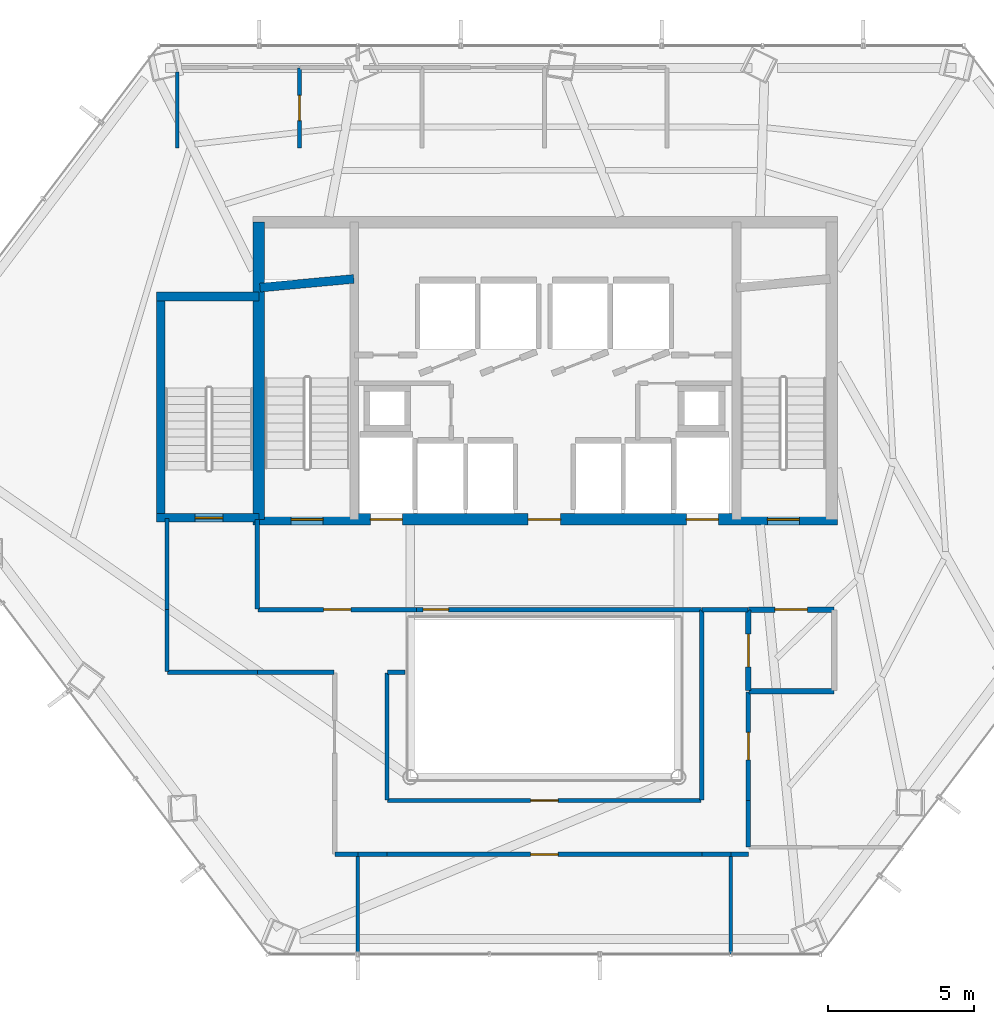
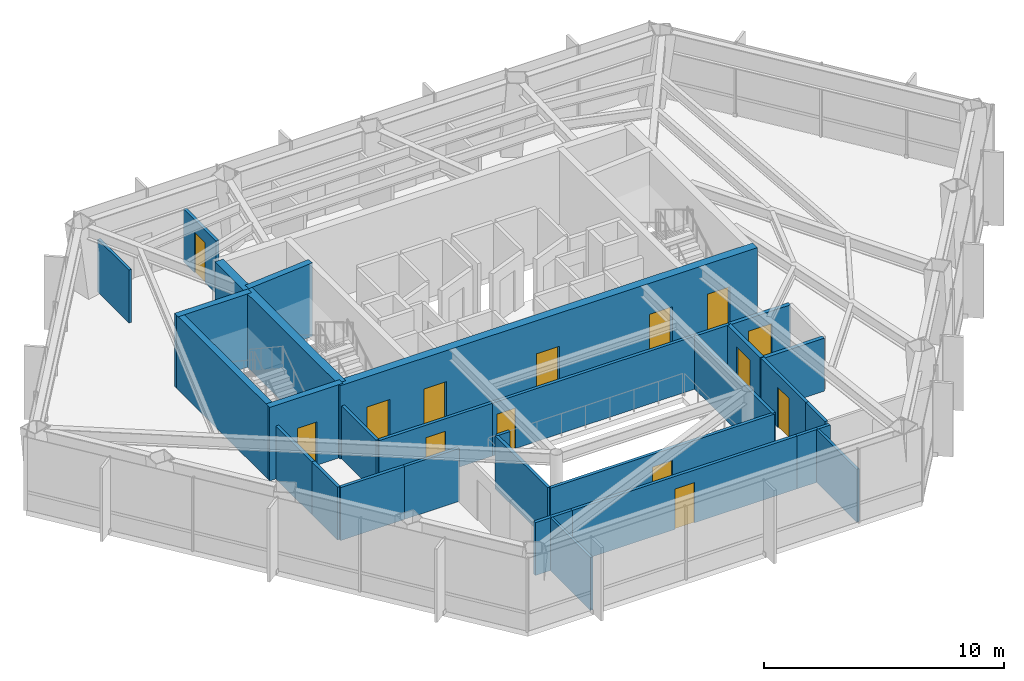
# One storey, part 22 of 25: 32 walls, 14 doors, 14 openings.
"""IFC4 building model written with IfcOpenShell, lengths in metres."""

import ifcopenshell
import ifcopenshell.guid

model = None  # the IFC model being written
_history = None  # IfcOwnerHistory: only IFC2X3 demands one
_inside = {}  # id of a spatial element -> (the spatial element, [elements in it])
_under = {}  # id of a project, library or spatial element -> (it, [spatial elements below it])
_declared = {}  # id of a project -> (the project, [libraries it declares])
_typed = {}  # id of a type object -> (the type object, [elements of that type])
_made_of = {}  # id of a material, layer set ... -> (it, [elements and type objects made of it])


def new_model(schema):
    """Start an empty IFC model of exactly this schema.

    Asked for "IFC4X3", IfcOpenShell would pick the latest addendum, in which some entities
    have other attributes; the version numbers below select the first issue.
    IFC2X3 requires an IfcOwnerHistory on every rooted entity: one is made here for all.
    """
    global model, _history
    if schema == "IFC4X3":
        model = ifcopenshell.file(schema_version=(4, 3, 0, 0))
    else:
        model = ifcopenshell.file(schema=schema)
    _inside.clear()
    _under.clear()
    _declared.clear()
    _typed.clear()
    _made_of.clear()
    _history = None
    if model.schema == "IFC2X3":
        org = make("IfcOrganization", Name="unknown")
        user = make(
            "IfcPersonAndOrganization",
            ThePerson=make("IfcPerson", FamilyName="unknown"),
            TheOrganization=org,
        )
        app = make(
            "IfcApplication",
            ApplicationDeveloper=org,
            Version="unknown",
            ApplicationFullName="unknown",
            ApplicationIdentifier="unknown",
        )
        _history = make(
            "IfcOwnerHistory",
            OwningUser=user,
            OwningApplication=app,
            ChangeAction="ADDED",
            CreationDate=0,
        )
    return model


def make(cls, **values):
    """One entity of the class cls with the attributes given. An attribute that is None is left unset."""
    return model.create_entity(
        cls, **{name: value for name, value in values.items() if value is not None}
    )


def rooted(cls, **values):
    """An entity with a GlobalId (a new one), such as an element, a storey or a relation."""
    return make(cls, GlobalId=ifcopenshell.guid.new(), OwnerHistory=_history, **values)


def si_unit(unit_type, name, prefix=None):
    """IfcSIUnit, for example si_unit("LENGTHUNIT", "METRE", prefix="MILLI")."""
    return make("IfcSIUnit", UnitType=unit_type, Prefix=prefix, Name=name)


def assignment(units):
    """IfcUnitAssignment: the units of a project."""
    return None if units is None else make("IfcUnitAssignment", Units=units)


def point(xyz):
    """IfcCartesianPoint."""
    return None if xyz is None else make("IfcCartesianPoint", Coordinates=xyz)


def direction(xyz):
    """IfcDirection."""
    return None if xyz is None else make("IfcDirection", DirectionRatios=xyz)


def frame(location, z_axis=None, x_axis=None):
    """IfcAxis2Placement3D, a coordinate frame: its origin and axes. An axis left out is left unset."""
    return make(
        "IfcAxis2Placement3D",
        Location=point(location),
        Axis=direction(z_axis),
        RefDirection=direction(x_axis),
    )


def frame_2d(location, x_axis=None):
    """IfcAxis2Placement2D, a coordinate frame in the plane: its origin and x axis."""
    return make(
        "IfcAxis2Placement2D", Location=point(location), RefDirection=direction(x_axis)
    )


def origin():
    """The frame at (0, 0, 0) with its axes left unset."""
    return frame((0.0, 0.0, 0.0))


def place(relative_to, where):
    """IfcLocalPlacement: puts the frame where relative to a parent placement (None: the world)."""
    return make(
        "IfcLocalPlacement", PlacementRelTo=relative_to, RelativePlacement=where
    )


def context(
    kind, dimensions, precision=None, world=None, true_north=None, identifier=None
):
    """IfcGeometricRepresentationContext, for example the 3D "Model" context."""
    return make(
        "IfcGeometricRepresentationContext",
        ContextIdentifier=identifier,
        ContextType=kind,
        CoordinateSpaceDimension=dimensions,
        Precision=precision,
        WorldCoordinateSystem=world,
        TrueNorth=true_north,
    )


def subcontext(parent, identifier, kind, view, scale=None):
    """IfcGeometricRepresentationSubContext, for example "Body" below "Model"."""
    return make(
        "IfcGeometricRepresentationSubContext",
        ContextIdentifier=identifier,
        ContextType=kind,
        ParentContext=parent,
        TargetScale=scale,
        TargetView=view,
    )


def project(units=None, contexts=None):
    """IfcProject with its units and contexts."""
    return rooted(
        "IfcProject",
        Name="project",
        RepresentationContexts=contexts,
        UnitsInContext=assignment(units),
    )


def spatial(cls, under=None, at=None, **own):
    """A site, building, storey or space (cls), placed at a placement, below another one or the project."""
    s = rooted(cls, ObjectPlacement=at, **own)
    if under is not None:
        _under.setdefault(under.id(), (under, []))[1].append(s)
    return s


def profile(cls, at=None, kind="AREA", **sizes):
    """A parametric profile (cls). Its sizes go by their IFC names, for example OverallWidth=200.0."""
    return make(cls, ProfileType=kind, Position=at, **sizes)


def rectangle(**sizes):
    """IfcRectangleProfileDef."""
    return profile("IfcRectangleProfileDef", **sizes)


def extrude(swept, where, along, depth):
    """IfcExtrudedAreaSolid: the profile swept, set in the frame where, extruded along a direction by depth."""
    return make(
        "IfcExtrudedAreaSolid",
        SweptArea=swept,
        Position=where,
        ExtrudedDirection=direction(along),
        Depth=depth,
    )


def shape(context_of_items, identifier, shape_type, items):
    """IfcShapeRepresentation: the items that make up one representation, for example the "Body"."""
    return make(
        "IfcShapeRepresentation",
        ContextOfItems=context_of_items,
        RepresentationIdentifier=identifier,
        RepresentationType=shape_type,
        Items=items,
    )


def material(Name=None, Category=None):
    """IfcMaterial."""
    return make("IfcMaterial", Name=Name, Category=Category)


def layer(
    of_material, thickness, ventilated=None, Name=None, Category=None, Priority=None
):
    """IfcMaterialLayer: one layer of a wall or slab, of a material (None: an air gap)."""
    return make(
        "IfcMaterialLayer",
        Material=of_material,
        LayerThickness=thickness,
        IsVentilated=ventilated,
        Name=Name,
        Category=Category,
        Priority=Priority,
    )


def layer_set(layers, Name=None):
    """IfcMaterialLayerSet."""
    return make("IfcMaterialLayerSet", MaterialLayers=layers, LayerSetName=Name)


def made_of(thing, what):
    """Note that an element or type object is made of a material, layer set ...; save() writes the relation."""
    if what is not None:
        _made_of.setdefault(what.id(), (what, []))[1].append(thing)
    return thing


def type_object(cls, material=None, **own):
    """A type object (cls), such as IfcWallType, which elements share."""
    return made_of(rooted(cls, **own), material)


def element(
    cls,
    number,
    at=None,
    inside=None,
    cuts=None,
    type_object=None,
    material=None,
    context=None,
    identifier="Body",
    shape_type=None,
    held_by="IfcProductDefinitionShape",
    body=None,
    shapes=None,
    **own,
):
    """One element of the class cls, such as IfcWall. Its Tag is "e" and its number.

    at: its placement. inside: the storey or other place that contains it. cuts: it is an
    opening in that element (IfcRelVoidsElement). A single representation is given by context,
    identifier, shape_type and body (its items); several are given by shapes. held_by: the class
    of the entity that holds the representations. save() writes the other relations.
    """
    e = rooted(cls, Tag="e%d" % number, ObjectPlacement=at, **own)
    if body is not None:
        shapes = [shape(context, identifier, shape_type, body)]
    if shapes is not None:
        e.Representation = make(held_by, Representations=shapes)
    if inside is not None:
        _inside.setdefault(inside.id(), (inside, []))[1].append(e)
    if cuts is not None:
        rooted(
            "IfcRelVoidsElement", RelatingBuildingElement=cuts, RelatedOpeningElement=e
        )
    if type_object is not None:
        _typed.setdefault(type_object.id(), (type_object, []))[1].append(e)
    return made_of(e, material)


def fill(opening, filler):
    """IfcRelFillsElement: the door or window that sits in an opening."""
    return rooted(
        "IfcRelFillsElement",
        RelatingOpeningElement=opening,
        RelatedBuildingElement=filler,
    )


def aggregate(whole, parts):
    """IfcRelAggregates: a whole, such as a stair, and the parts it consists of."""
    return rooted("IfcRelAggregates", RelatingObject=whole, RelatedObjects=parts)


def save(model, path):
    """Write the relations noted so far, then the file.

    IfcRelAggregates (storeys below a building ...), IfcRelContainedInSpatialStructure (elements
    in a storey), IfcRelDefinesByType, IfcRelAssociatesMaterial and IfcRelDeclares: one each for
    every whole, place, type object, material and project.
    """
    for whole, parts in _under.values():
        aggregate(whole, parts)
    for where, things in _inside.values():
        rooted(
            "IfcRelContainedInSpatialStructure",
            RelatedElements=things,
            RelatingStructure=where,
        )
    for kind, things in _typed.values():
        rooted("IfcRelDefinesByType", RelatedObjects=things, RelatingType=kind)
    for what, things in _made_of.values():
        rooted("IfcRelAssociatesMaterial", RelatedObjects=things, RelatingMaterial=what)
    for by, libraries in _declared.values():
        rooted("IfcRelDeclares", RelatingContext=by, RelatedDefinitions=libraries)
    model.write(path)


model = new_model("IFC4")

# Units and contexts
model_context = context("Model", 3, precision=1e-05, world=origin(), true_north=direction((0.0, 1.0)))
body_context = subcontext(model_context, "Body", "Model", "MODEL_VIEW")
ifc_project = project(units=[si_unit("LENGTHUNIT", "METRE"), si_unit("AREAUNIT", "SQUARE_METRE"), si_unit("VOLUMEUNIT", "CUBIC_METRE"), si_unit("PLANEANGLEUNIT", "RADIAN"), si_unit("MASSUNIT", "GRAM", prefix="KILO")], contexts=[model_context])

# Site, building, storey
site_placement = place(None, origin())
site = spatial("IfcSite", under=ifc_project, at=site_placement, CompositionType="ELEMENT")
building_placement = place(site_placement, origin())
building = spatial("IfcBuilding", under=site, at=building_placement, Name="Zarrinselat Tower", CompositionType="ELEMENT")
storey_placement = place(building_placement, frame((0.0, 0.0, 105.06005859375)))
storey = spatial("IfcBuildingStorey", under=building, at=storey_placement, Name="L25", CompositionType="ELEMENT", Elevation=105.06005859375)

# Wall, opening, door
ifc_material_1 = material(Name="Concrete C40/50", Category="concrete")
ifc_layer_1 = layer(ifc_material_1, 0.18994140625)
ifc_layer_set_1 = layer_set([ifc_layer_1], Name="Concrete C40/50")
wall_type_1 = type_object("IfcWallType", Name="WAL-PART-EI120", PredefinedType="PARTITIONING", material=ifc_layer_set_1)
wall_1_placement = place(storey_placement, frame((45.405029296875, 30.14990234375, 0.0), z_axis=(0.0, 0.0, 1.0), x_axis=(1.0, 0.0, 0.0)))
wall_1 = element("IfcWall", 1, at=wall_1_placement, inside=storey, type_object=wall_type_1, Name="L25 Partition Wall 7", PredefinedType="PARTITIONING", context=body_context, shape_type="SweptSolid", body=[
    extrude(rectangle(XDim=2.925048828125, YDim=0.18994140625, at=frame_2d((1.46240234375, 0.0))), origin(), (0.0, 0.0, 1.0), 2.68701171875),
])
opening_1_placement = place(wall_1_placement, frame((0.902587890625, 0.0, 0.0)))
opening_1 = element("IfcOpeningElement", 2, at=opening_1_placement, cuts=wall_1, Name="Opening ID-02", PredefinedType="OPENING", context=body_context, shape_type="SweptSolid", body=[
    extrude(rectangle(XDim=1.1201171875, YDim=2.050048828125, at=frame_2d((0.56005859375, 1.02490234375))), frame((0.0, 0.10498046875, 0.0), z_axis=(0.0, -1.0, 0.0), x_axis=(1.0, 0.0, 0.0)), (0.0, 0.0, 1.0), 0.2099609375),
])
ifc_material_2 = material(Name="Steel S355J2", Category="steel")
door_type_1 = type_object("IfcDoorType", Name="DR-INT-FD60-W", OperationType="NOTDEFINED", PredefinedType="DOOR", material=ifc_material_2)
door_1_placement = place(opening_1_placement, origin())
door_1 = element("IfcDoor", 3, at=door_1_placement, inside=storey, type_object=door_type_1, Name="L25 Interior Door P7", OperationType="SINGLE_SWING_RIGHT", OverallHeight=2.050048828125, OverallWidth=1.1201171875, PredefinedType="DOOR", context=body_context, shape_type="SweptSolid", body=[
    extrude(rectangle(XDim=1.1201171875, YDim=2.050048828125, at=frame_2d((0.56005859375, 1.02490234375))), frame((0.0, 0.02490234375, 0.0), z_axis=(0.0, -1.0, 0.0), x_axis=(1.0, 0.0, 0.0)), (0.0, 0.0, 1.0), 0.050048828125),
])
fill(opening_1, door_1)

wall_2_placement = place(storey_placement, frame((45.39990234375, 27.3701171875, 0.0), z_axis=(0.0, 0.0, 1.0), x_axis=(0.0, 1.0, 0.0)))
wall_2 = element("IfcWall", 4, at=wall_2_placement, inside=storey, type_object=wall_type_1, Name="L25 Partition Wall 12", PredefinedType="PARTITIONING", context=body_context, shape_type="SweptSolid", body=[
    extrude(rectangle(XDim=2.759765625, YDim=0.18994140625, at=frame_2d((1.3798828125, 0.0))), origin(), (0.0, 0.0, 1.0), 2.68701171875),
])
opening_2_placement = place(wall_2_placement, frame((0.820068359375, 0.0, 0.0)))
opening_2 = element("IfcOpeningElement", 5, at=opening_2_placement, cuts=wall_2, Name="Opening ID-02", PredefinedType="OPENING", context=body_context, shape_type="SweptSolid", body=[
    extrude(rectangle(XDim=1.1201171875, YDim=2.050048828125, at=frame_2d((0.56005859375, 1.02490234375))), frame((0.0, 0.10498046875, 0.0), z_axis=(0.0, -1.0, 0.0), x_axis=(1.0, 0.0, 0.0)), (0.0, 0.0, 1.0), 0.2099609375),
])
door_2_placement = place(opening_2_placement, origin())
door_2 = element("IfcDoor", 6, at=door_2_placement, inside=storey, type_object=door_type_1, Name="L25 Interior Door P12", OperationType="SINGLE_SWING_LEFT", OverallHeight=2.050048828125, OverallWidth=1.1201171875, PredefinedType="DOOR", context=body_context, shape_type="SweptSolid", body=[
    extrude(rectangle(XDim=1.1201171875, YDim=2.050048828125, at=frame_2d((0.56005859375, 1.02490234375))), frame((0.0, 0.02490234375, 0.0), z_axis=(0.0, -1.0, 0.0), x_axis=(1.0, 0.0, 0.0)), (0.0, 0.0, 1.0), 0.050048828125),
])
fill(opening_2, door_2)

# Walls
wall_3_placement = place(storey_placement, frame((45.419921875, 27.35009765625, 0.0), z_axis=(0.0, 0.0, 1.0), x_axis=(1.0, 0.0, 0.0)))
element("IfcWall", 7, at=wall_3_placement, inside=storey, type_object=wall_type_1, Name="L25 Partition Wall 13", PredefinedType="PARTITIONING", context=body_context, shape_type="SweptSolid", body=[
    extrude(rectangle(XDim=2.91015625, YDim=0.18994140625, at=frame_2d((1.455078125, 0.0))), origin(), (0.0, 0.0, 1.0), 2.68701171875),
])
ifc_material_3 = material(Name="Fire-Rated Gypsum Board Partition", Category="gypsum")
ifc_layer_2 = layer(ifc_material_3, 0.14990234375)
ifc_layer_set_2 = layer_set([ifc_layer_2], Name="Fire-Rated Gypsum Board Partition")
wall_type_2 = type_object("IfcWallType", Name="WAL-PART-EI60", PredefinedType="PARTITIONING", material=ifc_layer_set_2)
wall_4_placement = place(storey_placement, frame((43.804931640625, 30.14990234375, 0.0), z_axis=(0.0, 0.0, 1.0), x_axis=(1.0, 0.0, 0.0)))
element("IfcWall", 8, at=wall_4_placement, inside=storey, type_object=wall_type_2, Name="L25 Partition Wall 8", PredefinedType="PARTITIONING", context=body_context, shape_type="SweptSolid", body=[
    extrude(rectangle(XDim=1.590087890625, YDim=0.14990234375, at=frame_2d((0.794921875, 0.0))), origin(), (0.0, 0.0, 1.0), 2.68701171875),
])

# Wall, opening, door
wall_5_placement = place(storey_placement, frame((28.570068359375, 30.14990234375, 0.0), z_axis=(0.0, 0.0, 1.0), x_axis=(1.0, 0.0, 0.0)))
wall_5 = element("IfcWall", 9, at=wall_5_placement, inside=storey, type_object=wall_type_2, Name="L25 Partition Wall 9", PredefinedType="PARTITIONING", context=body_context, shape_type="SweptSolid", body=[
    extrude(rectangle(XDim=5.44482421875, YDim=0.14990234375, at=frame_2d((2.722412109375, 0.0))), origin(), (0.0, 0.0, 1.0), 2.68701171875),
])
opening_3_placement = place(wall_5_placement, frame((2.25244140625, 0.0, 0.0)))
opening_3 = element("IfcOpeningElement", 10, at=opening_3_placement, cuts=wall_5, Name="Opening ID-04", PredefinedType="OPENING", context=body_context, shape_type="SweptSolid", body=[
    extrude(rectangle(XDim=0.93994140625, YDim=2.050048828125, at=frame_2d((0.469970703125, 1.02490234375))), frame((0.0, 0.0849609375, 0.0), z_axis=(0.0, -1.0, 0.0), x_axis=(1.0, 0.0, 0.0)), (0.0, 0.0, 1.0), 0.169921875),
])
ifc_material_4 = material(Name="Fire-Rated Gypsum Board Partition")
door_type_2 = type_object("IfcDoorType", Name="DR-INT-FD30-ENT", OperationType="NOTDEFINED", PredefinedType="DOOR", material=ifc_material_4)
door_3_placement = place(opening_3_placement, origin())
door_3 = element("IfcDoor", 11, at=door_3_placement, inside=storey, type_object=door_type_2, Name="L25 Interior Door P9", OperationType="SINGLE_SWING_LEFT", OverallHeight=2.050048828125, OverallWidth=0.93994140625, PredefinedType="DOOR", context=body_context, shape_type="SweptSolid", body=[
    extrude(rectangle(XDim=0.93994140625, YDim=2.050048828125, at=frame_2d((0.469970703125, 1.02490234375))), frame((0.0, 0.02490234375, 0.0), z_axis=(0.0, -1.0, 0.0), x_axis=(1.0, 0.0, 0.0)), (0.0, 0.0, 1.0), 0.050048828125),
])
fill(opening_3, door_3)

# Wall
wall_6_placement = place(storey_placement, frame((28.550048828125, 30.169921875, 0.0), z_axis=(0.0, 0.0, 1.0), x_axis=(0.0, 1.0, 0.0)))
element("IfcWall", 12, at=wall_6_placement, inside=storey, type_object=wall_type_2, Name="L25 Partition Wall 10", PredefinedType="PARTITIONING", context=body_context, shape_type="SweptSolid", body=[
    extrude(rectangle(XDim=3.065185546875, YDim=0.14990234375, at=frame_2d((1.53271484375, 0.0))), origin(), (0.0, 0.0, 1.0), 2.68701171875),
])

# Wall, opening, door
wall_7_placement = place(storey_placement, frame((33.985107421875, 30.14990234375, 0.0), z_axis=(0.0, 0.0, 1.0), x_axis=(1.0, 0.0, 0.0)))
wall_7 = element("IfcWall", 13, at=wall_7_placement, inside=storey, type_object=wall_type_2, Name="L25 Partition Wall 11", PredefinedType="PARTITIONING", context=body_context, shape_type="SweptSolid", body=[
    extrude(rectangle(XDim=9.809814453125, YDim=0.14990234375, at=frame_2d((4.90478515625, 0.0))), origin(), (0.0, 0.0, 1.0), 2.68701171875),
])
opening_4_placement = place(wall_7_placement, frame((0.25, 0.0, 0.0)))
opening_4 = element("IfcOpeningElement", 14, at=opening_4_placement, cuts=wall_7, Name="Opening ID-03", PredefinedType="OPENING", context=body_context, shape_type="SweptSolid", body=[
    extrude(rectangle(XDim=0.8798828125, YDim=2.050048828125, at=frame_2d((0.43994140625, 1.02490234375))), frame((0.0, 0.0849609375, 0.0), z_axis=(0.0, -1.0, 0.0), x_axis=(1.0, 0.0, 0.0)), (0.0, 0.0, 1.0), 0.169921875),
])
ifc_material_5 = material(Name="Steel S355J2", Category="steel")
door_type_3 = type_object("IfcDoorType", Name="DR-INT-FD60-S", OperationType="NOTDEFINED", PredefinedType="DOOR", material=ifc_material_5)
door_4_placement = place(opening_4_placement, origin())
door_4 = element("IfcDoor", 15, at=door_4_placement, inside=storey, type_object=door_type_3, Name="L25 Interior Door P11", OperationType="SINGLE_SWING_RIGHT", OverallHeight=2.050048828125, OverallWidth=0.8798828125, PredefinedType="DOOR", context=body_context, shape_type="SweptSolid", body=[
    extrude(rectangle(XDim=0.8798828125, YDim=2.050048828125, at=frame_2d((0.43994140625, 1.02490234375))), frame((0.0, 0.02490234375, 0.0), z_axis=(0.0, -1.0, 0.0), x_axis=(1.0, 0.0, 0.0)), (0.0, 0.0, 1.0), 0.050048828125),
])
fill(opening_4, door_4)

# Wall
wall_8_placement = place(storey_placement, frame((43.800048828125, 21.75, 0.0), z_axis=(0.0, 0.0, 1.0), x_axis=(1.0, 0.0, 0.0)))
element("IfcWall", 16, at=wall_8_placement, inside=storey, type_object=wall_type_2, Name="L25 Partition Wall 15", PredefinedType="PARTITIONING", context=body_context, shape_type="SweptSolid", body=[
    extrude(rectangle(XDim=0.994873046875, YDim=0.14990234375, at=frame_2d((0.49755859375, 0.0))), origin(), (0.0, 0.0, 1.0), 2.68701171875),
])

# Wall, opening, door
wall_9_placement = place(storey_placement, frame((33.0, 21.75, 0.0), z_axis=(0.0, 0.0, 1.0), x_axis=(1.0, 0.0, 0.0)))
wall_9 = element("IfcWall", 17, at=wall_9_placement, inside=storey, type_object=wall_type_2, Name="L25 Partition Wall 16", PredefinedType="PARTITIONING", context=body_context, shape_type="SweptSolid", body=[
    extrude(rectangle(XDim=10.800048828125, YDim=0.14990234375, at=frame_2d((5.39990234375, 0.0))), origin(), (0.0, 0.0, 1.0), 2.68701171875),
])
opening_5_placement = place(wall_9_placement, frame((4.929931640625, 0.0, 0.0)))
opening_5 = element("IfcOpeningElement", 18, at=opening_5_placement, cuts=wall_9, Name="Opening ID-04", PredefinedType="OPENING", context=body_context, shape_type="SweptSolid", body=[
    extrude(rectangle(XDim=0.93994140625, YDim=2.050048828125, at=frame_2d((0.469970703125, 1.02490234375))), frame((0.0, 0.0849609375, 0.0), z_axis=(0.0, -1.0, 0.0), x_axis=(1.0, 0.0, 0.0)), (0.0, 0.0, 1.0), 0.169921875),
])
door_5_placement = place(opening_5_placement, origin())
door_5 = element("IfcDoor", 19, at=door_5_placement, inside=storey, type_object=door_type_2, Name="L25 Interior Door P16", OperationType="SINGLE_SWING_RIGHT", OverallHeight=2.050048828125, OverallWidth=0.93994140625, PredefinedType="DOOR", context=body_context, shape_type="SweptSolid", body=[
    extrude(rectangle(XDim=0.93994140625, YDim=2.050048828125, at=frame_2d((0.469970703125, 1.02490234375))), frame((0.0, 0.02490234375, 0.0), z_axis=(0.0, -1.0, 0.0), x_axis=(1.0, 0.0, 0.0)), (0.0, 0.0, 1.0), 0.050048828125),
])
fill(opening_5, door_5)

# Walls
wall_10_placement = place(storey_placement, frame((32.0048828125, 21.75, 0.0), z_axis=(0.0, 0.0, 1.0), x_axis=(1.0, 0.0, 0.0)))
element("IfcWall", 20, at=wall_10_placement, inside=storey, type_object=wall_type_2, Name="L25 Partition Wall 17", PredefinedType="PARTITIONING", context=body_context, shape_type="SweptSolid", body=[
    extrude(rectangle(XDim=0.9951171875, YDim=0.14990234375, at=frame_2d((0.49755859375, 0.0))), origin(), (0.0, 0.0, 1.0), 2.68701171875),
])
wall_11_placement = place(storey_placement, frame((44.804931640625, 21.75, 0.0), z_axis=(0.0, 0.0, 1.0), x_axis=(1.0, 0.0, 0.0)))
element("IfcWall", 21, at=wall_11_placement, inside=storey, type_object=wall_type_2, Name="L25 Partition Wall 18", PredefinedType="PARTITIONING", context=body_context, shape_type="SweptSolid", body=[
    extrude(rectangle(XDim=0.594970703125, YDim=0.14990234375, at=frame_2d((0.29736328125, 0.0))), origin(), (0.0, 0.0, 1.0), 2.68701171875),
])
wall_12_placement = place(storey_placement, frame((31.219970703125, 21.75, 0.0), z_axis=(0.0, 0.0, 1.0), x_axis=(1.0, 0.0, 0.0)))
element("IfcWall", 22, at=wall_12_placement, inside=storey, type_object=wall_type_2, Name="L25 Partition Wall 19", PredefinedType="PARTITIONING", context=body_context, shape_type="SweptSolid", body=[
    extrude(rectangle(XDim=0.775146484375, YDim=0.14990234375, at=frame_2d((0.3876953125, 0.0))), origin(), (0.0, 0.0, 1.0), 2.68701171875),
])
wall_13_placement = place(storey_placement, frame((28.550048828125, 28.0, 0.0), z_axis=(0.0, 0.0, 1.0), x_axis=(1.0, 0.0, 0.0)))
element("IfcWall", 23, at=wall_13_placement, inside=storey, type_object=wall_type_2, Name="L25 Partition Wall 22", PredefinedType="PARTITIONING", context=body_context, shape_type="SweptSolid", body=[
    extrude(rectangle(XDim=2.6298828125, YDim=0.14990234375, at=frame_2d((1.31494140625, 0.0))), origin(), (0.0, 0.0, 1.0), 2.68701171875),
])
wall_14_placement = place(storey_placement, frame((25.469970703125, 28.0, 0.0), z_axis=(0.0, 0.0, 1.0), x_axis=(1.0, 0.0, 0.0)))
element("IfcWall", 24, at=wall_14_placement, inside=storey, type_object=wall_type_2, Name="L25 Partition Wall 23", PredefinedType="PARTITIONING", context=body_context, shape_type="SweptSolid", body=[
    extrude(rectangle(XDim=3.080078125, YDim=0.14990234375, at=frame_2d((1.5400390625, 0.0))), origin(), (0.0, 0.0, 1.0), 2.68701171875),
])
wall_15_placement = place(storey_placement, frame((25.449951171875, 28.02001953125, 0.0), z_axis=(0.0, 0.0, 1.0), x_axis=(0.0, 1.0, 0.0)))
element("IfcWall", 25, at=wall_15_placement, inside=storey, type_object=wall_type_2, Name="L25 Partition Wall 24", PredefinedType="PARTITIONING", context=body_context, shape_type="SweptSolid", body=[
    extrude(rectangle(XDim=2.1298828125, YDim=0.14990234375, at=frame_2d((1.06494140625, 0.0))), origin(), (0.0, 0.0, 1.0), 2.68701171875),
])
wall_16_placement = place(storey_placement, frame((25.449951171875, 30.14990234375, 0.0), z_axis=(0.0, 0.0, 1.0), x_axis=(0.0, 1.0, 0.0)))
element("IfcWall", 26, at=wall_16_placement, inside=storey, type_object=wall_type_2, Name="L25 Partition Wall 25", PredefinedType="PARTITIONING", context=body_context, shape_type="SweptSolid", body=[
    extrude(rectangle(XDim=3.135009765625, YDim=0.14990234375, at=frame_2d((1.5673828125, 0.0))), origin(), (0.0, 0.0, 1.0), 2.68701171875),
])

# Wall, opening, door
wall_17_placement = place(storey_placement, frame((45.39990234375, 23.60009765625, 0.0), z_axis=(0.0, 0.0, 1.0), x_axis=(0.0, 1.0, 0.0)))
wall_17 = element("IfcWall", 27, at=wall_17_placement, inside=storey, type_object=wall_type_2, Name="L25 Partition Wall 26", PredefinedType="PARTITIONING", context=body_context, shape_type="SweptSolid", body=[
    extrude(rectangle(XDim=3.72998046875, YDim=0.14990234375, at=frame_2d((1.864990234375, 0.0))), origin(), (0.0, 0.0, 1.0), 2.68701171875),
])
opening_6_placement = place(wall_17_placement, frame((1.39501953125, 0.0, 0.0)))
opening_6 = element("IfcOpeningElement", 28, at=opening_6_placement, cuts=wall_17, Name="Opening ID-04", PredefinedType="OPENING", context=body_context, shape_type="SweptSolid", body=[
    extrude(rectangle(XDim=0.93994140625, YDim=2.050048828125, at=frame_2d((0.469970703125, 1.02490234375))), frame((0.0, 0.0849609375, 0.0), z_axis=(0.0, -1.0, 0.0), x_axis=(1.0, 0.0, 0.0)), (0.0, 0.0, 1.0), 0.169921875),
])
door_6_placement = place(opening_6_placement, origin())
door_6 = element("IfcDoor", 29, at=door_6_placement, inside=storey, type_object=door_type_2, Name="L25 Interior Door P26", OperationType="SINGLE_SWING_RIGHT", OverallHeight=2.050048828125, OverallWidth=0.93994140625, PredefinedType="DOOR", context=body_context, shape_type="SweptSolid", body=[
    extrude(rectangle(XDim=0.93994140625, YDim=2.050048828125, at=frame_2d((0.469970703125, 1.02490234375))), frame((0.0, 0.02490234375, 0.0), z_axis=(0.0, -1.0, 0.0), x_axis=(1.0, 0.0, 0.0)), (0.0, 0.0, 1.0), 0.050048828125),
])
fill(opening_6, door_6)

# Walls
wall_18_placement = place(storey_placement, frame((45.39990234375, 22.0048828125, 0.0), z_axis=(0.0, 0.0, 1.0), x_axis=(0.0, 1.0, 0.0)))
element("IfcWall", 30, at=wall_18_placement, inside=storey, type_object=wall_type_2, Name="L25 Partition Wall 27", PredefinedType="PARTITIONING", context=body_context, shape_type="SweptSolid", body=[
    extrude(rectangle(XDim=1.59521484375, YDim=0.14990234375, at=frame_2d((0.797607421875, 0.0))), origin(), (0.0, 0.0, 1.0), 2.68701171875),
])
wall_19_placement = place(storey_placement, frame((33.02001953125, 28.0, 0.0), z_axis=(0.0, 0.0, 1.0), x_axis=(1.0, 0.0, 0.0)))
element("IfcWall", 31, at=wall_19_placement, inside=storey, type_object=wall_type_2, Name="L25 Partition Wall 28", PredefinedType="PARTITIONING", context=body_context, shape_type="SweptSolid", body=[
    extrude(rectangle(XDim=0.60009765625, YDim=0.14990234375, at=frame_2d((0.300048828125, 0.0))), origin(), (0.0, 0.0, 1.0), 2.68701171875),
])
wall_20_placement = place(storey_placement, frame((33.0, 23.6201171875, 0.0), z_axis=(0.0, 0.0, 1.0), x_axis=(0.0, 1.0, 0.0)))
element("IfcWall", 32, at=wall_20_placement, inside=storey, type_object=wall_type_2, Name="L25 Partition Wall 29", PredefinedType="PARTITIONING", context=body_context, shape_type="SweptSolid", body=[
    extrude(rectangle(XDim=4.35986328125, YDim=0.14990234375, at=frame_2d((2.179931640625, 0.0))), origin(), (0.0, 0.0, 1.0), 2.68701171875),
])

# Wall, opening, door
wall_21_placement = place(storey_placement, frame((33.02001953125, 23.60009765625, 0.0), z_axis=(0.0, 0.0, 1.0), x_axis=(1.0, 0.0, 0.0)))
wall_21 = element("IfcWall", 33, at=wall_21_placement, inside=storey, type_object=wall_type_2, Name="L25 Partition Wall 30", PredefinedType="PARTITIONING", context=body_context, shape_type="SweptSolid", body=[
    extrude(rectangle(XDim=10.760009765625, YDim=0.14990234375, at=frame_2d((5.3798828125, 0.0))), origin(), (0.0, 0.0, 1.0), 2.68701171875),
])
opening_7_placement = place(wall_21_placement, frame((4.909912109375, 0.0, 0.0)))
opening_7 = element("IfcOpeningElement", 34, at=opening_7_placement, cuts=wall_21, Name="Opening ID-04", PredefinedType="OPENING", context=body_context, shape_type="SweptSolid", body=[
    extrude(rectangle(XDim=0.93994140625, YDim=2.050048828125, at=frame_2d((0.469970703125, 1.02490234375))), frame((0.0, 0.0849609375, 0.0), z_axis=(0.0, -1.0, 0.0), x_axis=(1.0, 0.0, 0.0)), (0.0, 0.0, 1.0), 0.169921875),
])
door_7_placement = place(opening_7_placement, origin())
door_7 = element("IfcDoor", 35, at=door_7_placement, inside=storey, type_object=door_type_2, Name="L25 Interior Door P30", OperationType="SINGLE_SWING_LEFT", OverallHeight=2.050048828125, OverallWidth=0.93994140625, PredefinedType="DOOR", context=body_context, shape_type="SweptSolid", body=[
    extrude(rectangle(XDim=0.93994140625, YDim=2.050048828125, at=frame_2d((0.469970703125, 1.02490234375))), frame((0.0, 0.02490234375, 0.0), z_axis=(0.0, -1.0, 0.0), x_axis=(1.0, 0.0, 0.0)), (0.0, 0.0, 1.0), 0.050048828125),
])
fill(opening_7, door_7)

# Walls
wall_22_placement = place(storey_placement, frame((43.800048828125, 23.6201171875, 0.0), z_axis=(0.0, 0.0, 1.0), x_axis=(0.0, 1.0, 0.0)))
element("IfcWall", 36, at=wall_22_placement, inside=storey, type_object=wall_type_2, Name="L25 Partition Wall 31", PredefinedType="PARTITIONING", context=body_context, shape_type="SweptSolid", body=[
    extrude(rectangle(XDim=6.509765625, YDim=0.14990234375, at=frame_2d((3.2548828125, 0.0))), origin(), (0.0, 0.0, 1.0), 2.68701171875),
])
ifc_material_6 = material(Name="Fire-Rated Gypsum Board Partition", Category="gypsum")
ifc_layer_3 = layer(ifc_material_6, 0.1201171875)
ifc_layer_set_3 = layer_set([ifc_layer_3], Name="Fire-Rated Gypsum Board Partition")
wall_type_3 = type_object("IfcWallType", Name="WAL-PART-STD", PredefinedType="PARTITIONING", material=ifc_layer_set_3)
for number, where, z_axis, x_axis, name in (
    (37, (44.800048828125, 18.340576171875, 0.0), (0.0, 0.0, 1.0), (0.0, 1.0, 0.0), "L25 Partition Wall 42"),
    (38, (32.0, 18.340576171875, 0.0), (0.0, 0.0, 1.0), (0.0, 1.0, 0.0), "L25 Partition Wall 43"),
):
    element("IfcWall", number, at=place(storey_placement, frame(where, z_axis=z_axis, x_axis=x_axis)), inside=storey, type_object=wall_type_3, Name=name, PredefinedType="PARTITIONING", context=body_context, shape_type="SweptSolid", body=[
        extrude(rectangle(XDim=3.389404296875, YDim=0.1201171875, at=frame_2d((1.69482421875, 0.0))), origin(), (0.0, 0.0, 1.0), 2.68701171875),
    ])

# Wall, opening, door
ifc_material_7 = material(Name="Fire-Rated Gypsum Board Partition", Category="gypsum")
ifc_layer_4 = layer(ifc_material_7, 0.135009765625)
ifc_layer_set_4 = layer_set([ifc_layer_4], Name="Fire-Rated Gypsum Board Partition")
wall_type_4 = type_object("IfcWallType", Name="WAL-PART-WET", PredefinedType="PARTITIONING", material=ifc_layer_set_4)
wall_23_placement = place(storey_placement, frame((30.0, 46.0, 0.0), z_axis=(0.0, 0.0, 1.0), x_axis=(0.0, 1.0, 0.0)))
wall_23 = element("IfcWall", 39, at=wall_23_placement, inside=storey, type_object=wall_type_4, Name="L25 Partition Wall 32", PredefinedType="PARTITIONING", context=body_context, shape_type="SweptSolid", body=[
    extrude(rectangle(XDim=2.72998046875, YDim=0.135009765625, at=frame_2d((1.364990234375, 0.0))), origin(), (0.0, 0.0, 1.0), 2.68701171875),
])
opening_8_placement = place(wall_23_placement, frame((0.93505859375, 0.0, 0.0)))
opening_8 = element("IfcOpeningElement", 40, at=opening_8_placement, cuts=wall_23, Name="Opening ID-06", PredefinedType="OPENING", context=body_context, shape_type="SweptSolid", body=[
    extrude(rectangle(XDim=0.860107421875, YDim=2.050048828125, at=frame_2d((0.43017578125, 1.02490234375))), frame((0.0, 0.077392578125, 0.0), z_axis=(0.0, -1.0, 0.0), x_axis=(1.0, 0.0, 0.0)), (0.0, 0.0, 1.0), 0.155029296875),
])
ifc_material_8 = material(Name="Extruded Aluminium Alloy EN AW-6063 T6", Category="aluminium")
door_type_4 = type_object("IfcDoorType", Name="DR-INT-WET-900", OperationType="NOTDEFINED", PredefinedType="DOOR", material=ifc_material_8)
door_8_placement = place(opening_8_placement, origin())
door_8 = element("IfcDoor", 41, at=door_8_placement, inside=storey, type_object=door_type_4, Name="L25 Interior Door P32", OperationType="SINGLE_SWING_RIGHT", OverallHeight=2.050048828125, OverallWidth=0.860107421875, PredefinedType="DOOR", context=body_context, shape_type="SweptSolid", body=[
    extrude(rectangle(XDim=0.860107421875, YDim=2.050048828125, at=frame_2d((0.43017578125, 1.02490234375))), frame((0.0, 0.02490234375, 0.0), z_axis=(0.0, -1.0, 0.0), x_axis=(1.0, 0.0, 0.0)), (0.0, 0.0, 1.0), 0.050048828125),
])
fill(opening_8, door_8)

# Walls
wall_24_placement = place(storey_placement, frame((25.800048828125, 46.0, 0.0), z_axis=(0.0, 0.0, 1.0), x_axis=(0.0, 1.0, 0.0)))
element("IfcWall", 42, at=wall_24_placement, inside=storey, type_object=wall_type_4, Name="L25 Partition Wall 34", PredefinedType="PARTITIONING", context=body_context, shape_type="SweptSolid", body=[
    extrude(rectangle(XDim=2.59912109375, YDim=0.135009765625, at=frame_2d((1.299560546875, 0.0))), origin(), (0.0, 0.0, 1.0), 2.68701171875),
])
ifc_material_9 = material(Name="Concrete C40/50", Category="concrete")
ifc_layer_5 = layer(ifc_material_9, 0.300048828125)
ifc_layer_set_5 = layer_set([ifc_layer_5], Name="Concrete C40/50")
wall_type_5 = type_object("IfcWallType", Name="WAL-SHEAR-300", PredefinedType="SHEAR", material=ifc_layer_set_5)
wall_25_placement = place(storey_placement, frame((28.639892578125, 41.199951171875, 0.0), z_axis=(0.0, 0.0, 1.0), x_axis=(0.995687118776, 0.092774789157, 0.0)))
element("IfcWall", 43, at=wall_25_placement, inside=storey, type_object=wall_type_5, Name="L25 Stair 1 North Shaft Wall", PredefinedType="SHEAR", context=body_context, shape_type="SweptSolid", body=[
    extrude(rectangle(XDim=3.234130859375, YDim=0.300048828125, at=frame_2d((1.6171875, 0.0))), origin(), (0.0, 0.0, 1.0), 3.72998046875),
])
wall_26_placement = place(storey_placement, frame((25.080078125, 40.89990234375, 0.0), z_axis=(0.0, 0.0, 1.0), x_axis=(1.0, 0.0, 0.0)))
element("IfcWall", 44, at=wall_26_placement, inside=storey, type_object=wall_type_5, Name="L25 Stair 3 North Shear Wall", PredefinedType="SHEAR", context=body_context, shape_type="SweptSolid", body=[
    extrude(rectangle(XDim=3.52001953125, YDim=0.300048828125, at=frame_2d((1.760009765625, 0.0))), origin(), (0.0, 0.0, 1.0), 3.72998046875),
])

# Wall, opening, door
wall_27_placement = place(storey_placement, frame((25.080078125, 33.300048828125, 0.0), z_axis=(0.0, 0.0, 1.0), x_axis=(1.0, 0.0, 0.0)))
wall_27 = element("IfcWall", 45, at=wall_27_placement, inside=storey, type_object=wall_type_5, Name="L25 Stair 3 South Shear Wall", PredefinedType="SHEAR", context=body_context, shape_type="SweptSolid", body=[
    extrude(rectangle(XDim=3.52001953125, YDim=0.300048828125, at=frame_2d((1.760009765625, 0.0))), origin(), (0.0, 0.0, 1.0), 3.72998046875),
])
opening_9_placement = place(wall_27_placement, frame((1.3349609375, 0.0, 0.0)))
opening_9 = element("IfcOpeningElement", 46, at=opening_9_placement, cuts=wall_27, Name="Opening SD-02", PredefinedType="OPENING", context=body_context, shape_type="SweptSolid", body=[
    extrude(rectangle(XDim=0.949951171875, YDim=2.199951171875, at=frame_2d((0.47509765625, 1.10009765625))), frame((0.0, 0.159912109375, 0.0), z_axis=(0.0, -1.0, 0.0), x_axis=(1.0, 0.0, 0.0)), (0.0, 0.0, 1.0), 0.320068359375),
])
ifc_material_10 = material(Name="Steel S355J2", Category="steel")
door_type_5 = type_object("IfcDoorType", Name="DR-STAIR-1050", OperationType="NOTDEFINED", PredefinedType="DOOR", material=ifc_material_10)
door_9_placement = place(opening_9_placement, origin())
door_9 = element("IfcDoor", 47, at=door_9_placement, inside=storey, type_object=door_type_5, Name="L25 Exit Stair 3 Fire Door", OperationType="SINGLE_SWING_LEFT", OverallHeight=2.199951171875, OverallWidth=0.949951171875, PredefinedType="DOOR", context=body_context, shape_type="SweptSolid", body=[
    extrude(rectangle(XDim=0.949951171875, YDim=2.199951171875, at=frame_2d((0.47509765625, 1.10009765625))), frame((0.0, 0.02490234375, 0.0), z_axis=(0.0, -1.0, 0.0), x_axis=(1.0, 0.0, 0.0)), (0.0, 0.0, 1.0), 0.050048828125),
])
fill(opening_9, door_9)

# Wall
wall_28_placement = place(storey_placement, frame((25.22998046875, 33.300048828125, 0.0), z_axis=(0.0, 0.0, 1.0), x_axis=(0.0, 1.0, 0.0)))
element("IfcWall", 48, at=wall_28_placement, inside=storey, type_object=wall_type_5, Name="L25 Stair 3 West Shear Wall", PredefinedType="SHEAR", context=body_context, shape_type="SweptSolid", body=[
    extrude(rectangle(XDim=7.599853515625, YDim=0.300048828125, at=frame_2d((3.7998046875, 0.0))), origin(), (0.0, 0.0, 1.0), 3.72998046875),
])

# Wall, openings, doors
ifc_material_11 = material(Name="Concrete C60/75", Category="concrete")
ifc_layer_6 = layer(ifc_material_11, 0.39990234375)
ifc_layer_set_6 = layer_set([ifc_layer_6], Name="Concrete C60/75")
wall_type_6 = type_object("IfcWallType", Name="WAL-SHEAR-400", PredefinedType="SHEAR", material=ifc_layer_set_6)
wall_29_placement = place(storey_placement, frame((28.39990234375, 33.25, 0.0), z_axis=(0.0, 0.0, 1.0), x_axis=(1.0, 0.0, 0.0)))
wall_29 = element("IfcWall", 49, at=wall_29_placement, inside=storey, type_object=wall_type_6, Name="L25 South Core Shear Wall", PredefinedType="SHEAR", context=body_context, shape_type="SweptSolid", body=[
    extrude(rectangle(XDim=20.06005859375, YDim=0.39990234375, at=frame_2d((10.030029296875, 0.0))), origin(), (0.0, 0.0, 1.0), 3.72998046875),
])
opening_10_placement = place(wall_29_placement, frame((4.030029296875, 0.0, 0.0)))
opening_10 = element("IfcOpeningElement", 50, at=opening_10_placement, cuts=wall_29, Name="Opening LD-FFL1", PredefinedType="OPENING", context=body_context, shape_type="SweptSolid", body=[
    extrude(rectangle(XDim=1.10009765625, YDim=2.14990234375, at=frame_2d((0.550048828125, 1.074951171875))), frame((0.0, 0.2099609375, 0.0), z_axis=(0.0, -1.0, 0.0), x_axis=(1.0, 0.0, 0.0)), (0.0, 0.0, 1.0), 0.419921875),
])
opening_11_placement = place(wall_29_placement, frame((14.8701171875, 0.0, 0.0)))
opening_11 = element("IfcOpeningElement", 51, at=opening_11_placement, cuts=wall_29, Name="Opening LD-FFL2", PredefinedType="OPENING", context=body_context, shape_type="SweptSolid", body=[
    extrude(rectangle(XDim=1.10009765625, YDim=2.14990234375, at=frame_2d((0.550048828125, 1.074951171875))), frame((0.0, 0.2099609375, 0.0), z_axis=(0.0, -1.0, 0.0), x_axis=(1.0, 0.0, 0.0)), (0.0, 0.0, 1.0), 0.419921875),
])
opening_12_placement = place(wall_29_placement, frame((1.31005859375, 0.0, 0.0)))
opening_12 = element("IfcOpeningElement", 52, at=opening_12_placement, cuts=wall_29, Name="Opening SD-01", PredefinedType="OPENING", context=body_context, shape_type="SweptSolid", body=[
    extrude(rectangle(XDim=1.10009765625, YDim=2.199951171875, at=frame_2d((0.550048828125, 1.10009765625))), frame((0.0, 0.2099609375, 0.0), z_axis=(0.0, -1.0, 0.0), x_axis=(1.0, 0.0, 0.0)), (0.0, 0.0, 1.0), 0.419921875),
])
opening_13_placement = place(wall_29_placement, frame((9.43994140625, 0.0, 0.0)))
opening_13 = element("IfcOpeningElement", 53, at=opening_13_placement, cuts=wall_29, Name="Opening ID-02", PredefinedType="OPENING", context=body_context, shape_type="SweptSolid", body=[
    extrude(rectangle(XDim=1.1201171875, YDim=2.050048828125, at=frame_2d((0.56005859375, 1.02490234375))), frame((0.0, 0.2099609375, 0.0), z_axis=(0.0, -1.0, 0.0), x_axis=(1.0, 0.0, 0.0)), (0.0, 0.0, 1.0), 0.419921875),
])
opening_14_placement = place(wall_29_placement, frame((17.64990234375, 0.0, 0.0)))
opening_14 = element("IfcOpeningElement", 54, at=opening_14_placement, cuts=wall_29, Name="Opening SD-01", PredefinedType="OPENING", context=body_context, shape_type="SweptSolid", body=[
    extrude(rectangle(XDim=1.10009765625, YDim=2.199951171875, at=frame_2d((0.550048828125, 1.10009765625))), frame((0.0, 0.2099609375, 0.0), z_axis=(0.0, -1.0, 0.0), x_axis=(1.0, 0.0, 0.0)), (0.0, 0.0, 1.0), 0.419921875),
])
door_10_placement = place(opening_13_placement, origin())
door_10 = element("IfcDoor", 55, at=door_10_placement, inside=storey, type_object=door_type_1, Name="L25 Core Service Vestibule Fire Door", OperationType="SINGLE_SWING_LEFT", OverallHeight=2.050048828125, OverallWidth=1.1201171875, PredefinedType="DOOR", context=body_context, shape_type="SweptSolid", body=[
    extrude(rectangle(XDim=1.1201171875, YDim=2.050048828125, at=frame_2d((0.56005859375, 1.02490234375))), frame((0.0, 0.02490234375, 0.0), z_axis=(0.0, -1.0, 0.0), x_axis=(1.0, 0.0, 0.0)), (0.0, 0.0, 1.0), 0.050048828125),
])
fill(opening_13, door_10)
ifc_material_12 = material(Name="Steel S355J2", Category="steel")
door_type_6 = type_object("IfcDoorType", Name="DR-LIFT-FF-1100", OperationType="NOTDEFINED", PredefinedType="DOOR", material=ifc_material_12)
door_11_placement = place(opening_10_placement, origin())
door_11 = element("IfcDoor", 56, at=door_11_placement, inside=storey, type_object=door_type_6, Name="L25 Lift FFL1 Sliding Landing Door", OperationType="SLIDING_TO_LEFT", OverallHeight=2.14990234375, OverallWidth=1.10009765625, PredefinedType="DOOR", context=body_context, shape_type="SweptSolid", body=[
    extrude(rectangle(XDim=1.10009765625, YDim=2.14990234375, at=frame_2d((0.550048828125, 1.074951171875))), frame((0.0, 0.02490234375, 0.0), z_axis=(0.0, -1.0, 0.0), x_axis=(1.0, 0.0, 0.0)), (0.0, 0.0, 1.0), 0.050048828125),
])
fill(opening_10, door_11)
door_12_placement = place(opening_11_placement, origin())
door_12 = element("IfcDoor", 57, at=door_12_placement, inside=storey, type_object=door_type_6, Name="L25 Lift FFL2 Sliding Landing Door", OperationType="SLIDING_TO_RIGHT", OverallHeight=2.14990234375, OverallWidth=1.10009765625, PredefinedType="DOOR", context=body_context, shape_type="SweptSolid", body=[
    extrude(rectangle(XDim=1.10009765625, YDim=2.14990234375, at=frame_2d((0.550048828125, 1.074951171875))), frame((0.0, 0.02490234375, 0.0), z_axis=(0.0, -1.0, 0.0), x_axis=(1.0, 0.0, 0.0)), (0.0, 0.0, 1.0), 0.050048828125),
])
fill(opening_11, door_12)
ifc_material_13 = material(Name="Steel S355J2", Category="steel")
door_type_7 = type_object("IfcDoorType", Name="DR-STAIR-1100", OperationType="NOTDEFINED", PredefinedType="DOOR", material=ifc_material_13)
door_13_placement = place(opening_12_placement, origin())
door_13 = element("IfcDoor", 58, at=door_13_placement, inside=storey, type_object=door_type_7, Name="L25 Exit Stair 1 Fire Door", OperationType="SINGLE_SWING_LEFT", OverallHeight=2.199951171875, OverallWidth=1.10009765625, PredefinedType="DOOR", context=body_context, shape_type="SweptSolid", body=[
    extrude(rectangle(XDim=1.10009765625, YDim=2.199951171875, at=frame_2d((0.550048828125, 1.10009765625))), frame((0.0, 0.02490234375, 0.0), z_axis=(0.0, -1.0, 0.0), x_axis=(1.0, 0.0, 0.0)), (0.0, 0.0, 1.0), 0.050048828125),
])
fill(opening_12, door_13)
door_14_placement = place(opening_14_placement, origin())
door_14 = element("IfcDoor", 59, at=door_14_placement, inside=storey, type_object=door_type_7, Name="L25 Exit Stair 2 Fire Door", OperationType="SINGLE_SWING_RIGHT", OverallHeight=2.199951171875, OverallWidth=1.10009765625, PredefinedType="DOOR", context=body_context, shape_type="SweptSolid", body=[
    extrude(rectangle(XDim=1.10009765625, YDim=2.199951171875, at=frame_2d((0.550048828125, 1.10009765625))), frame((0.0, 0.02490234375, 0.0), z_axis=(0.0, -1.0, 0.0), x_axis=(1.0, 0.0, 0.0)), (0.0, 0.0, 1.0), 0.050048828125),
])
fill(opening_14, door_14)

# Wall
wall_30_placement = place(storey_placement, frame((28.60009765625, 33.25, 0.0), z_axis=(0.0, 0.0, 1.0), x_axis=(0.0, 1.0, 0.0)))
element("IfcWall", 60, at=wall_30_placement, inside=storey, type_object=wall_type_6, Name="L25 Core Shear Wall W", PredefinedType="SHEAR", context=body_context, shape_type="SweptSolid", body=[
    extrude(rectangle(XDim=10.199951171875, YDim=0.39990234375, at=frame_2d((5.10009765625, 0.0))), origin(), (0.0, 0.0, 1.0), 3.72998046875),
])

save(model, "model.ifc")
